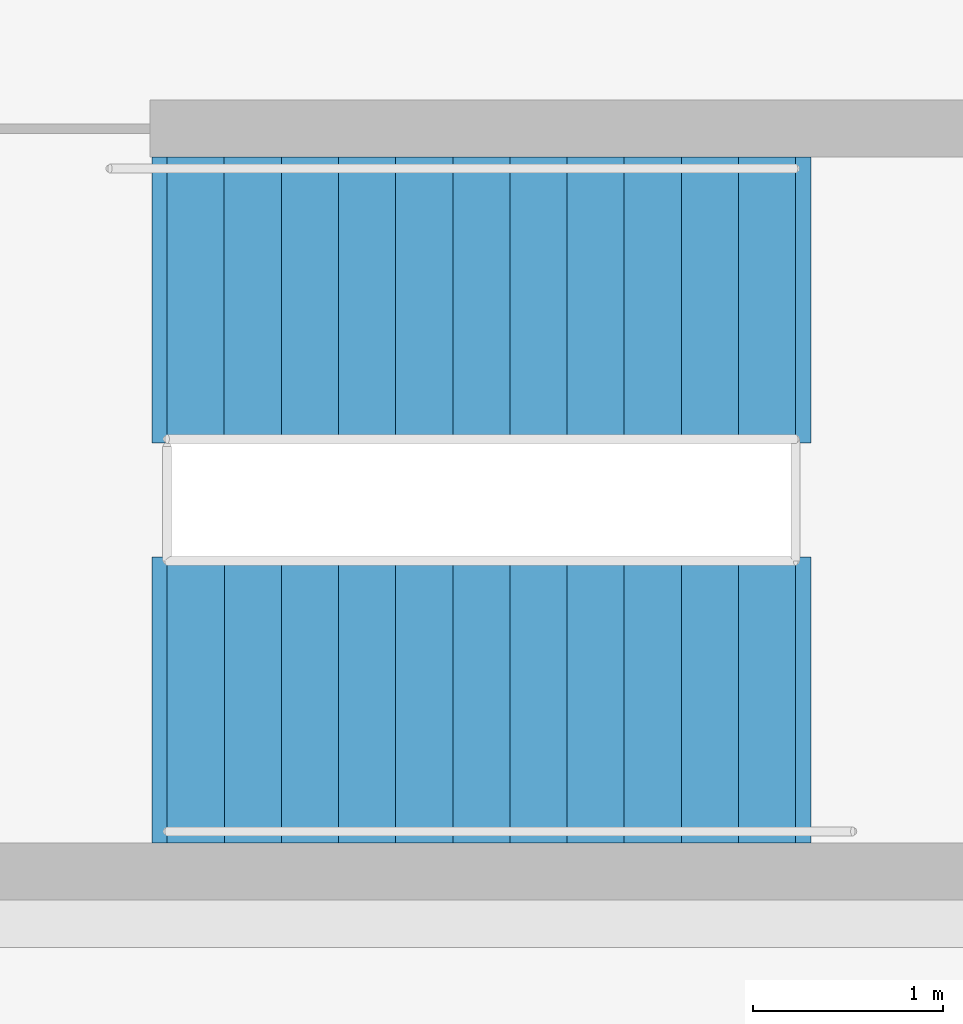
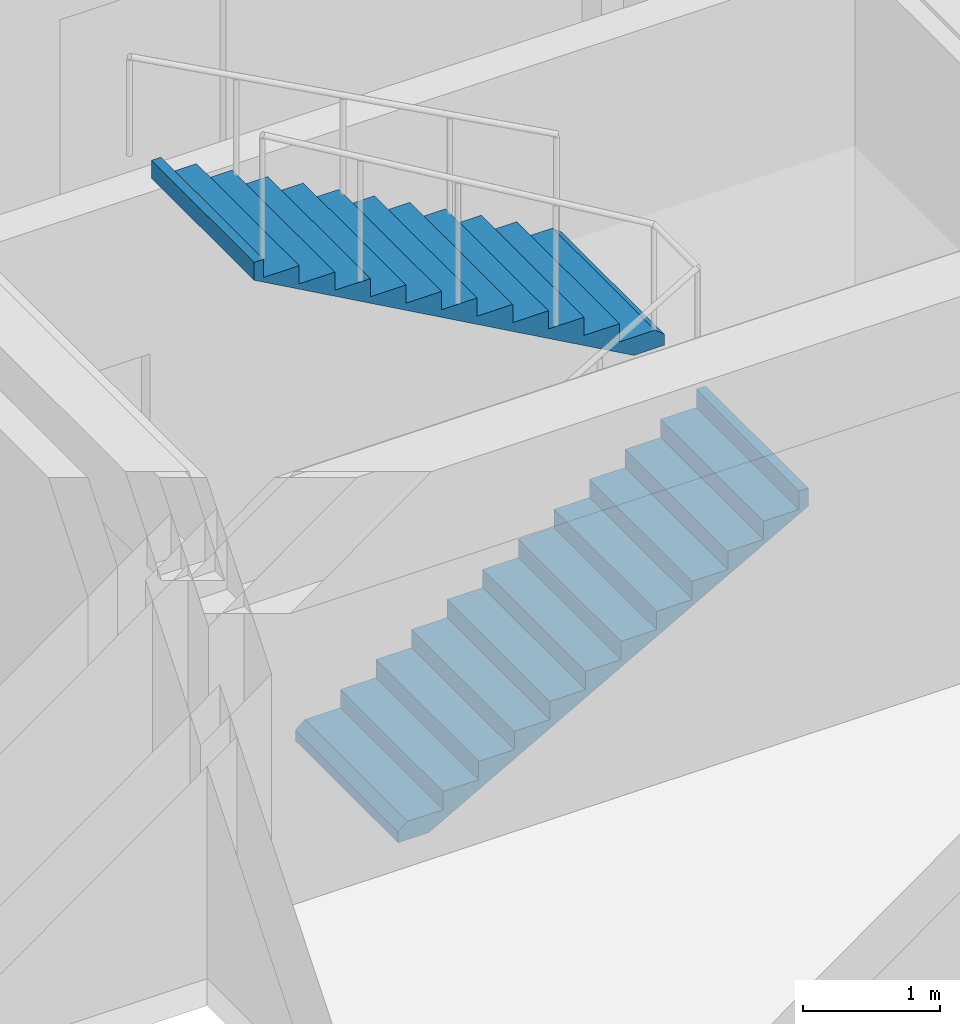
# One storey, part 12 of 13: 2 stair flights, 1 element without a shape of its own.
"""IFC4 building model written with IfcOpenShell, lengths in metres."""

from ifc_helpers import new_model, si_unit, direction, frame, origin, place, context, subcontext, project, spatial, polyline, outline, extrude, material, type_object, element, aggregate, save


model = new_model("IFC4")

# Units and contexts
model_context = context("Model", 3, precision=1e-05, world=origin(), true_north=direction((0.0, 1.0)))
body_context = subcontext(model_context, "Body", "Model", "MODEL_VIEW")
ifc_project = project(units=[si_unit("LENGTHUNIT", "METRE"), si_unit("AREAUNIT", "SQUARE_METRE"), si_unit("VOLUMEUNIT", "CUBIC_METRE"), si_unit("PLANEANGLEUNIT", "RADIAN"), si_unit("MASSUNIT", "GRAM", prefix="KILO")], contexts=[model_context])

# Site, building, storey
site_placement = place(None, origin())
site = spatial("IfcSite", under=ifc_project, at=site_placement, CompositionType="ELEMENT")
building_placement = place(site_placement, origin())
building = spatial("IfcBuilding", under=site, at=building_placement, Name="Vellmiral Cinema and Media Centre", CompositionType="ELEMENT")
storey_placement = place(building_placement, frame((0.0, 0.0, 50.89990234375)))
storey = spatial("IfcBuildingStorey", under=building, at=storey_placement, Name="L12", CompositionType="ELEMENT", Elevation=50.89990234375)

# Stair, stair flights
ifc_material_1 = material(Name="Concrete C40/50", Category="concrete")
stair_type = type_object("IfcStairType", Name="ST-2RET-390", PredefinedType="HALF_TURN_STAIR", material=ifc_material_1)
stair_placement = place(storey_placement, origin())
stair = element("IfcStair", 1, at=stair_placement, inside=storey, type_object=stair_type, Name="Protected Escape Stair ST-T2 (L12)", PredefinedType="HALF_TURN_STAIR")
ifc_material_2 = material(Name="Concrete C40/50", Category="concrete")
stair_flight_type = type_object("IfcStairFlightType", Name="STF-STR-390", PredefinedType="STRAIGHT", material=ifc_material_2)
stair_flight_1_placement = place(storey_placement, frame((141.85009765625, 88.25, 0.0), z_axis=(0.0, 0.0, 1.0), x_axis=(1.0, 0.0, 0.0)))
stair_flight_1 = element("IfcStairFlight", 2, at=stair_flight_1_placement, type_object=stair_flight_type, Name="ST-T2 flight 1", NumberOfRisers=12, NumberOfTreads=11, PredefinedType="STRAIGHT", RiserHeight=0.1625, TreadLength=0.3, context=body_context, shape_type="SweptSolid", body=[
    extrude(outline(polyline([(-0.080078125, 0.0), (-0.080078125, 0.097412109375), (0.0, 0.16259765625), (0.300048828125, 0.16259765625), (0.300048828125, 0.324951171875), (0.60009765625, 0.324951171875), (0.60009765625, 0.487548828125), (0.89990234375, 0.487548828125), (0.89990234375, 0.64990234375), (1.199951171875, 0.64990234375), (1.199951171875, 0.8125), (1.5, 0.8125), (1.5, 0.97509765625), (1.800048828125, 0.97509765625), (1.800048828125, 1.137451171875), (2.10009765625, 1.137451171875), (2.10009765625, 1.300048828125), (2.39990234375, 1.300048828125), (2.39990234375, 1.46240234375), (2.699951171875, 1.46240234375), (2.699951171875, 1.625), (3.0, 1.625), (3.0, 1.78759765625), (3.300048828125, 1.78759765625), (3.300048828125, 1.949951171875), (3.380126953125, 1.949951171875), (3.380126953125, 1.7900390625), (0.179931640625, 0.0), (-0.080078125, 0.0)])), frame((0.0, 0.75, 0.0), z_axis=(0.0, -1.0, 0.0), x_axis=(1.0, 0.0, 0.0)), (0.0, 0.0, 1.0), 1.5),
])
stair_flight_2_placement = place(storey_placement, frame((145.14990234375, 90.35009765625, 1.9501953125), z_axis=(0.0, 0.0, 1.0), x_axis=(-1.0, 0.0, 0.0)))
stair_flight_2 = element("IfcStairFlight", 3, at=stair_flight_2_placement, type_object=stair_flight_type, Name="ST-T2 flight 2", NumberOfRisers=12, NumberOfTreads=11, PredefinedType="STRAIGHT", RiserHeight=0.1625, TreadLength=0.3, context=body_context, shape_type="SweptSolid", body=[
    extrude(outline(polyline([(-0.080078125, 0.0), (-0.080078125, 0.097412109375), (0.0, 0.16259765625), (0.300048828125, 0.16259765625), (0.300048828125, 0.324951171875), (0.60009765625, 0.324951171875), (0.60009765625, 0.487548828125), (0.89990234375, 0.487548828125), (0.89990234375, 0.64990234375), (1.199951171875, 0.64990234375), (1.199951171875, 0.8125), (1.5, 0.8125), (1.5, 0.97509765625), (1.800048828125, 0.97509765625), (1.800048828125, 1.137451171875), (2.10009765625, 1.137451171875), (2.10009765625, 1.300048828125), (2.39990234375, 1.300048828125), (2.39990234375, 1.46240234375), (2.699951171875, 1.46240234375), (2.699951171875, 1.625), (3.0, 1.625), (3.0, 1.78759765625), (3.300048828125, 1.78759765625), (3.300048828125, 1.949951171875), (3.380126953125, 1.949951171875), (3.380126953125, 1.7900390625), (0.179931640625, 0.0), (-0.080078125, 0.0)])), frame((0.0, 0.75, 0.0), z_axis=(0.0, -1.0, 0.0), x_axis=(1.0, 0.0, 0.0)), (0.0, 0.0, 1.0), 1.5),
])
aggregate(stair, [stair_flight_1, stair_flight_2])

save(model, "model.ifc")
